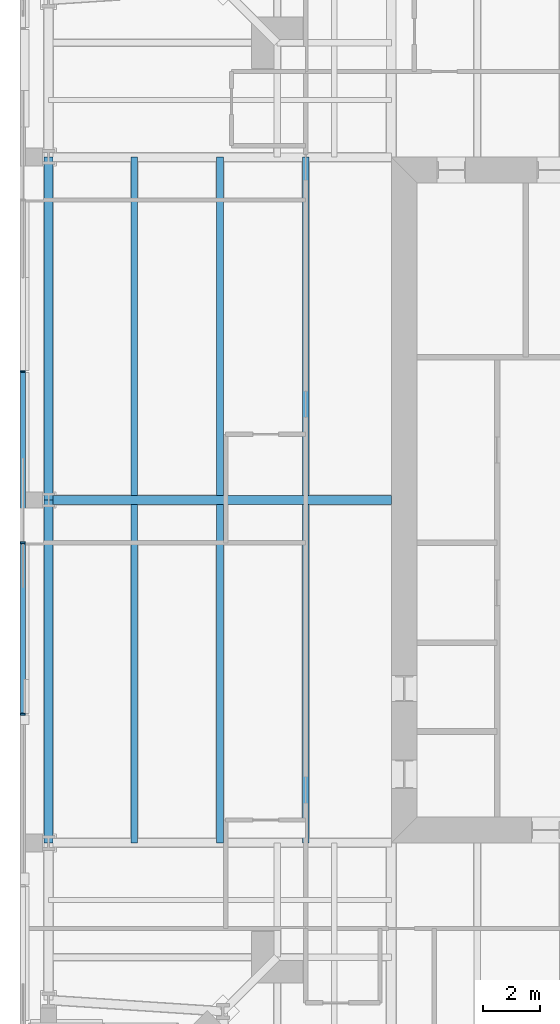
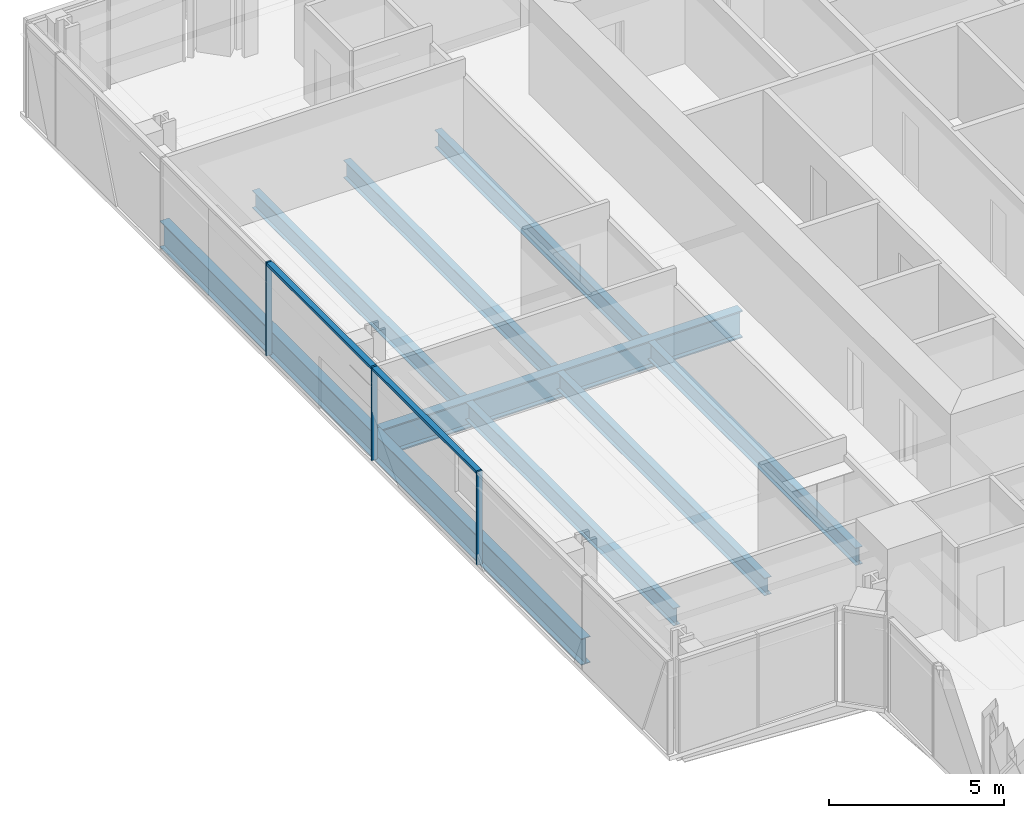
# One storey, part 4 of 20: 9 beams, 5 members, 1 element without a shape of its own.
"""IFC4 building model written with IfcOpenShell, lengths in metres."""

from ifc_helpers import new_model, si_unit, direction, frame, origin, origin_2d, place, context, subcontext, project, spatial, rectangle, i_section, extrude, material, material_profile, profile_set, type_object, element, aggregate, save


model = new_model("IFC4")

# Units and contexts
model_context = context("Model", 3, precision=1e-05, world=origin(), true_north=direction((0.0, 1.0)))
body_context = subcontext(model_context, "Body", "Model", "MODEL_VIEW")
ifc_project = project(units=[si_unit("LENGTHUNIT", "METRE"), si_unit("AREAUNIT", "SQUARE_METRE"), si_unit("VOLUMEUNIT", "CUBIC_METRE"), si_unit("PLANEANGLEUNIT", "RADIAN"), si_unit("MASSUNIT", "GRAM", prefix="KILO")], contexts=[model_context])

# Site, building, storey
site_placement = place(None, origin())
site = spatial("IfcSite", under=ifc_project, at=site_placement, CompositionType="ELEMENT")
building_placement = place(site_placement, origin())
building = spatial("IfcBuilding", under=site, at=building_placement, Name="Fenwick Lantern Interchange", CompositionType="ELEMENT")
storey_placement = place(building_placement, frame((0.0, 0.0, 276.39990234375)))
storey = spatial("IfcBuildingStorey", under=building, at=storey_placement, Name="L66", CompositionType="ELEMENT", Elevation=276.39990234375)

# Beams
ifc_material_1 = material(Name="Steel ASTM A992 Grade 50", Category="steel")
ifc_material_profile_1 = material_profile(ifc_material_1, i_section(OverallWidth=0.3046875, OverallDepth=0.911865234375, WebThickness=0.015869140625, FlangeThickness=0.02392578125, at=origin_2d()), Name="W36X150")
ifc_profile_set_1 = profile_set([ifc_material_profile_1], Name="Steel ASTM A992 Grade 50")
beam_type_1 = type_object("IfcBeamType", Name="EDGE BEAM W36X150", PredefinedType="SPANDREL", material=ifc_profile_set_1)
for number, where, z_axis, x_axis, name in (
    (1, (1.0, 37.0, -0.605712890625), (0.0, -1.0, 0.0), (1.0, 0.0, 0.0), "L66/FR/W/EB2"),
    (2, (1.0, 25.0, -0.605712890625), (0.0, -1.0, 0.0), (1.0, 0.0, 0.0), "L66/FR/W/EB3"),
):
    element("IfcBeam", number, at=place(storey_placement, frame(where, z_axis=z_axis, x_axis=x_axis)), inside=storey, type_object=beam_type_1, Name=name, PredefinedType="SPANDREL", context=body_context, shape_type="SweptSolid", body=[
        extrude(i_section(OverallWidth=0.3046875, OverallDepth=0.911865234375, WebThickness=0.015869140625, FlangeThickness=0.02392578125, at=origin_2d()), origin(), (0.0, 0.0, 1.0), 12.0),
    ])
ifc_material_profile_2 = material_profile(ifc_material_1, i_section(OverallWidth=0.22900390625, OverallDepth=0.612060546875, WebThickness=0.011962890625, FlangeThickness=0.01953125, at=origin_2d()), Name="W24X84")
ifc_profile_set_2 = profile_set([ifc_material_profile_2], Name="Steel ASTM A992 Grade 50")
beam_type_2 = type_object("IfcBeamType", Name="FLOOR BEAM W24X84", PredefinedType="BEAM", material=ifc_profile_set_2)
for number, where, z_axis, x_axis, name in (
    (3, (4.0, 37.0, -0.4560546875), (0.0, -1.0, 0.0), (1.0, 0.0, 0.0), "L66/FR/W/B01"),
    (4, (7.0, 37.0, -0.4560546875), (0.0, -1.0, 0.0), (1.0, 0.0, 0.0), "L66/FR/W/B02"),
    (5, (10.0, 37.0, -0.4560546875), (0.0, -1.0, 0.0), (1.0, 0.0, 0.0), "L66/FR/W/B03"),
    (6, (4.0, 24.844970703125, -0.4560546875), (0.0, -1.0, 0.0), (1.0, 0.0, 0.0), "L66/FR/W/B04"),
    (7, (7.0, 24.844970703125, -0.4560546875), (0.0, -1.0, 0.0), (1.0, 0.0, 0.0), "L66/FR/W/B05"),
    (8, (10.0, 24.844970703125, -0.4560546875), (0.0, -1.0, 0.0), (1.0, 0.0, 0.0), "L66/FR/W/B06"),
):
    element("IfcBeam", number, at=place(storey_placement, frame(where, z_axis=z_axis, x_axis=x_axis)), inside=storey, type_object=beam_type_2, Name=name, PredefinedType="BEAM", context=body_context, shape_type="SweptSolid", body=[
        extrude(i_section(OverallWidth=0.22900390625, OverallDepth=0.612060546875, WebThickness=0.011962890625, FlangeThickness=0.01953125, at=origin_2d()), origin(), (0.0, 0.0, 1.0), 11.844970703125),
    ])

# Curtain wall, members
ifc_material_2 = material(Name="Aluminium curtain wall frame", Category="aluminium")
curtain_wall_type = type_object("IfcCurtainWallType", Name="HOTEL CURTAIN WALL", PredefinedType="USERDEFINED", material=ifc_material_2)
curtain_wall_placement = place(storey_placement, origin())
curtain_wall = element("IfcCurtainWall", 9, at=curtain_wall_placement, inside=storey, type_object=curtain_wall_type, Name="Hotel curtain wall 13", ObjectType="HOTEL CURTAIN WALL", PredefinedType="USERDEFINED")
ifc_material_3 = material(Name="Aluminium extrusion", Category="aluminium")
ifc_material_profile_3 = material_profile(ifc_material_3, rectangle(XDim=0.179931640625, YDim=0.06005859375, at=origin_2d()), Name="HOTEL CURTAIN WALL MULLION 60 X 180")
ifc_profile_set_3 = profile_set([ifc_material_profile_3], Name="Aluminium extrusion")
member_type_1 = type_object("IfcMemberType", Name="HOTEL CURTAIN WALL MULLION 60 X 180", PredefinedType="MULLION", material=ifc_profile_set_3)
member_1_placement = place(storey_placement, frame((0.10009765625, 29.5, 0.0), z_axis=(0.0, 0.0, 1.0), x_axis=(1.0, 0.0, 0.0)))
member_1 = element("IfcMember", 10, at=member_1_placement, type_object=member_type_1, Name="L66/CW/13/M03", PredefinedType="MULLION", context=body_context, shape_type="SweptSolid", body=[
    extrude(rectangle(XDim=0.179931640625, YDim=0.06005859375, at=origin_2d()), origin(), (0.0, 0.0, 1.0), 3.25),
])
member_2_placement = place(storey_placement, frame((0.10009765625, 23.5, 0.0), z_axis=(0.0, 0.0, 1.0), x_axis=(1.0, 0.0, 0.0)))
member_2 = element("IfcMember", 11, at=member_2_placement, type_object=member_type_1, Name="L66/CW/13/M04", PredefinedType="MULLION", context=body_context, shape_type="SweptSolid", body=[
    extrude(rectangle(XDim=0.179931640625, YDim=0.06005859375, at=origin_2d()), origin(), (0.0, 0.0, 1.0), 3.25),
])
member_3_placement = place(storey_placement, frame((0.10009765625, 17.5, 0.0), z_axis=(0.0, 0.0, 1.0), x_axis=(1.0, 0.0, 0.0)))
member_3 = element("IfcMember", 12, at=member_3_placement, type_object=member_type_1, Name="L66/CW/13/M05", PredefinedType="MULLION", context=body_context, shape_type="SweptSolid", body=[
    extrude(rectangle(XDim=0.179931640625, YDim=0.06005859375, at=origin_2d()), origin(), (0.0, 0.0, 1.0), 3.25),
])
ifc_material_profile_4 = material_profile(ifc_material_3, rectangle(XDim=0.179931640625, YDim=0.10009765625, at=origin_2d()), Name="HOTEL CURTAIN WALL TRANSOM 100 X 180")
ifc_profile_set_4 = profile_set([ifc_material_profile_4], Name="Aluminium extrusion")
member_type_2 = type_object("IfcMemberType", Name="HOTEL CURTAIN WALL TRANSOM 100 X 180", PredefinedType="MULLION", material=ifc_profile_set_4)
member_4_placement = place(storey_placement, frame((0.10009765625, 29.469970703125, 3.2001953125), z_axis=(0.0, -1.0, 0.0), x_axis=(1.0, 0.0, 0.0)))
member_4 = element("IfcMember", 13, at=member_4_placement, type_object=member_type_2, Name="L66/CW/13/T03", PredefinedType="MULLION", context=body_context, shape_type="SweptSolid", body=[
    extrude(rectangle(XDim=0.179931640625, YDim=0.10009765625, at=origin_2d()), origin(), (0.0, 0.0, 1.0), 5.93994140625),
])
member_5_placement = place(storey_placement, frame((0.10009765625, 23.469970703125, 3.2001953125), z_axis=(0.0, -1.0, 0.0), x_axis=(1.0, 0.0, 0.0)))
member_5 = element("IfcMember", 14, at=member_5_placement, type_object=member_type_2, Name="L66/CW/13/T04", PredefinedType="MULLION", context=body_context, shape_type="SweptSolid", body=[
    extrude(rectangle(XDim=0.179931640625, YDim=0.10009765625, at=origin_2d()), origin(), (0.0, 0.0, 1.0), 5.93994140625),
])
aggregate(curtain_wall, [member_1, member_2, member_3, member_4, member_5])

# Beam
ifc_material_profile_5 = material_profile(ifc_material_1, i_section(OverallWidth=0.309814453125, OverallDepth=0.949951171875, WebThickness=0.0244140625, FlangeThickness=0.0439453125, at=origin_2d()), Name="W36X256")
ifc_profile_set_5 = profile_set([ifc_material_profile_5], Name="Steel ASTM A992 Grade 50")
beam_type_3 = type_object("IfcBeamType", Name="MOMENT-CONNECTED GIRDER W36X256", PredefinedType="BEAM", material=ifc_profile_set_5)
beam_placement = place(storey_placement, frame((1.0, 25.0, -0.625), z_axis=(1.0, 0.0, 0.0), x_axis=(0.0, 1.0, 0.0)))
element("IfcBeam", 15, at=beam_placement, inside=storey, type_object=beam_type_3, Name="L66/FR/W/R02", PredefinedType="BEAM", context=body_context, shape_type="SweptSolid", body=[
    extrude(i_section(OverallWidth=0.309814453125, OverallDepth=0.949951171875, WebThickness=0.0244140625, FlangeThickness=0.0439453125, at=origin_2d()), origin(), (0.0, 0.0, 1.0), 12.0),
])

save(model, "model.ifc")
